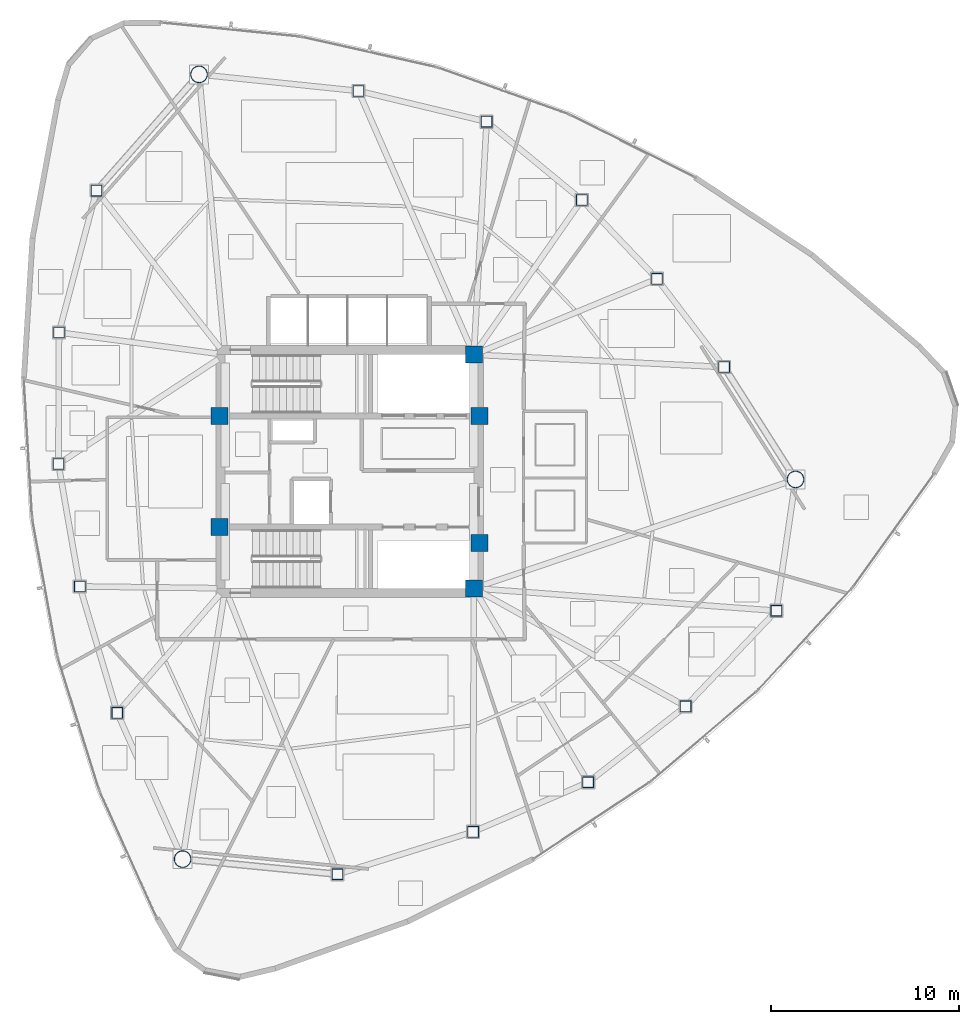
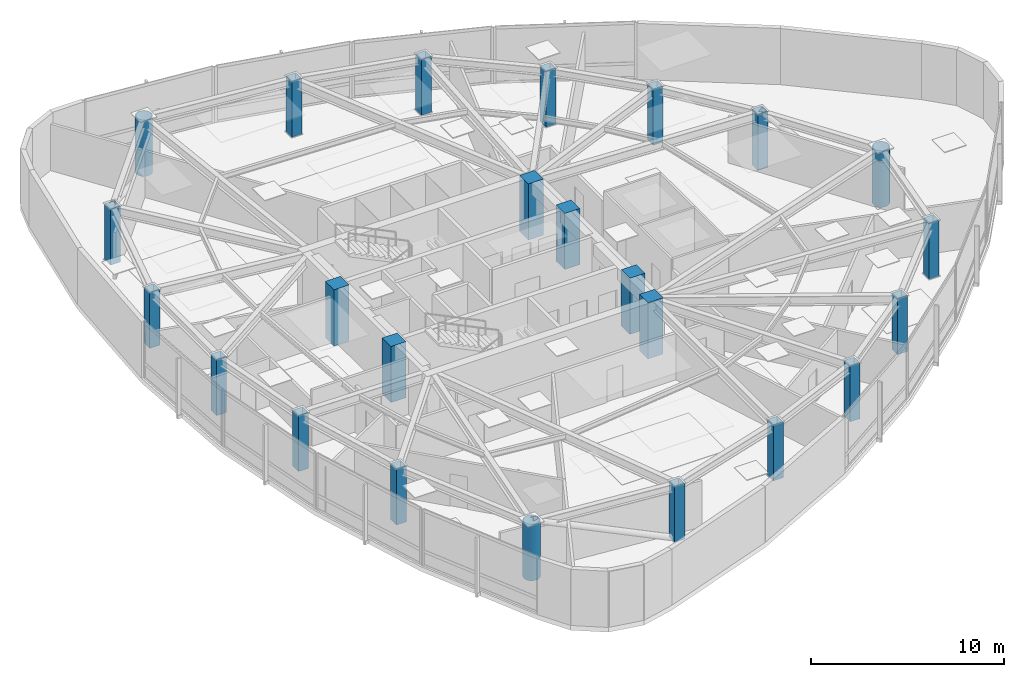
# One storey, part 1 of 17: 24 columns.
"""IFC4 building model written with IfcOpenShell, lengths in metres."""

from ifc_helpers import new_model, si_unit, direction, frame, origin, origin_2d, place, context, subcontext, project, spatial, rectangle, hollow_rectangle, hollow_circle, extrude, material, material_profile, profile_set, type_object, element, save


model = new_model("IFC4")

# Units and contexts
model_context = context("Model", 3, precision=1e-05, world=origin(), true_north=direction((0.0, 1.0)))
body_context = subcontext(model_context, "Body", "Model", "MODEL_VIEW")
ifc_project = project(units=[si_unit("LENGTHUNIT", "METRE"), si_unit("AREAUNIT", "SQUARE_METRE"), si_unit("VOLUMEUNIT", "CUBIC_METRE"), si_unit("PLANEANGLEUNIT", "RADIAN"), si_unit("MASSUNIT", "GRAM", prefix="KILO")], contexts=[model_context])

# Site, building, storey
site_placement = place(None, origin())
site = spatial("IfcSite", under=ifc_project, at=site_placement, CompositionType="ELEMENT")
building_placement = place(site_placement, origin())
building = spatial("IfcBuilding", under=site, at=building_placement, Name="Tavelor Broadcast Tower", CompositionType="ELEMENT")
storey_placement = place(building_placement, frame((0.0, 0.0, 188.75)))
storey = spatial("IfcBuildingStorey", under=building, at=storey_placement, Name="L45", CompositionType="ELEMENT", Elevation=188.75)

# Columns
ifc_material_1 = material(Name="Concrete C50/60", Category="concrete")
ifc_material_profile_1 = material_profile(ifc_material_1, rectangle(XDim=0.89990234375, YDim=0.89990234375, at=origin_2d()), Name="RC 900x900")
ifc_profile_set_1 = profile_set([ifc_material_profile_1], Name="Concrete C50/60")
column_type_1 = type_object("IfcColumnType", Name="Core Embedded Composite Column RC900", PredefinedType="COLUMN", material=ifc_profile_set_1)
for number, where, z_axis, x_axis, name in (
    (1, (43.10009765625, 47.949951171875, 0.0), (0.0, 0.0, 1.0), (1.0, 0.0, 0.0), "L45 Core Embedded Column 1"),
    (2, (56.89990234375, 47.949951171875, 0.0), (0.0, 0.0, 1.0), (1.0, 0.0, 0.0), "L45 Core Embedded Column 2"),
    (3, (56.60009765625, 51.199951171875, 0.0), (0.0, 0.0, 1.0), (1.0, 0.0, 0.0), "L45 Core Embedded Column 3"),
    (4, (43.10009765625, 42.050048828125, 0.0), (0.0, 0.0, 1.0), (1.0, 0.0, 0.0), "L45 Core Embedded Column 4"),
    (5, (56.89990234375, 41.199951171875, 0.0), (0.0, 0.0, 1.0), (1.0, 0.0, 0.0), "L45 Core Embedded Column 5"),
    (6, (56.60009765625, 38.800048828125, 0.0), (0.0, 0.0, 1.0), (1.0, 0.0, 0.0), "L45 Core Embedded Column 6"),
):
    element("IfcColumn", number, at=place(storey_placement, frame(where, z_axis=z_axis, x_axis=x_axis)), inside=storey, type_object=column_type_1, Name=name, PredefinedType="COLUMN", context=body_context, shape_type="SweptSolid", body=[
        extrude(rectangle(XDim=0.89990234375, YDim=0.89990234375, at=origin_2d()), origin(), (0.0, 0.0, 1.0), 3.550048828125),
    ])
ifc_material_2 = material(Name="Steel S460", Category="steel")
ifc_material_profile_2 = material_profile(ifc_material_2, hollow_rectangle(XDim=0.60009765625, YDim=0.60009765625, WallThickness=0.035888671875, at=origin_2d()), Name="SHS 600x600x36")
ifc_profile_set_2 = profile_set([ifc_material_profile_2], Name="Steel S460")
column_type_2 = type_object("IfcColumnType", Name="Perimeter Tube Column T4 SHS 600x600x36", PredefinedType="COLUMN", material=ifc_profile_set_2)
for number, where, z_axis, x_axis, name in (
    (7, (36.567626953125, 59.91064453125, 0.0), (0.0, 0.0, 1.0), (1.0, 0.0, 0.0), "L45 Perimeter Framed-Tube Column 02"),
    (8, (34.5751953125, 52.37939453125, 0.0), (0.0, 0.0, 1.0), (1.0, 0.0, 0.0), "L45 Perimeter Framed-Tube Column 03"),
    (9, (34.54638671875, 45.399169921875, 0.0), (0.0, 0.0, 1.0), (1.0, 0.0, 0.0), "L45 Perimeter Framed-Tube Column 04"),
    (10, (35.680908203125, 38.89990234375, 0.0), (0.0, 0.0, 1.0), (1.0, 0.0, 0.0), "L45 Perimeter Framed-Tube Column 05"),
    (11, (37.668212890625, 32.1904296875, 0.0), (0.0, 0.0, 1.0), (1.0, 0.0, 0.0), "L45 Perimeter Framed-Tube Column 06"),
    (12, (49.366455078125, 23.618896484375, 0.0), (0.0, 0.0, 1.0), (1.0, 0.0, 0.0), "L45 Perimeter Framed-Tube Column 08"),
    (13, (56.56103515625, 25.872802734375, 0.0), (0.0, 0.0, 1.0), (1.0, 0.0, 0.0), "L45 Perimeter Framed-Tube Column 09"),
    (14, (62.669189453125, 28.503173828125, 0.0), (0.0, 0.0, 1.0), (1.0, 0.0, 0.0), "L45 Perimeter Framed-Tube Column 10"),
    (15, (67.84228515625, 32.53173828125, 0.0), (0.0, 0.0, 1.0), (1.0, 0.0, 0.0), "L45 Perimeter Framed-Tube Column 11"),
    (16, (72.6591796875, 37.607421875, 0.0), (0.0, 0.0, 1.0), (1.0, 0.0, 0.0), "L45 Perimeter Framed-Tube Column 12"),
    (17, (69.885986328125, 50.544189453125, 0.0), (0.0, 0.0, 1.0), (1.0, 0.0, 0.0), "L45 Perimeter Framed-Tube Column 14"),
    (18, (66.322021484375, 55.228759765625, 0.0), (0.0, 0.0, 1.0), (1.0, 0.0, 0.0), "L45 Perimeter Framed-Tube Column 15"),
    (19, (62.330810546875, 59.416259765625, 0.0), (0.0, 0.0, 1.0), (1.0, 0.0, 0.0), "L45 Perimeter Framed-Tube Column 16"),
    (20, (57.276611328125, 63.568359375, 0.0), (0.0, 0.0, 1.0), (1.0, 0.0, 0.0), "L45 Perimeter Framed-Tube Column 17"),
    (21, (50.472412109375, 65.2021484375, 0.0), (0.0, 0.0, 1.0), (1.0, 0.0, 0.0), "L45 Perimeter Framed-Tube Column 18"),
):
    element("IfcColumn", number, at=place(storey_placement, frame(where, z_axis=z_axis, x_axis=x_axis)), inside=storey, type_object=column_type_2, Name=name, PredefinedType="COLUMN", context=body_context, shape_type="SweptSolid", body=[
        extrude(hollow_rectangle(XDim=0.60009765625, YDim=0.60009765625, WallThickness=0.035888671875, at=origin_2d()), origin(), (0.0, 0.0, 1.0), 3.550048828125),
    ])
ifc_material_profile_3 = material_profile(ifc_material_2, hollow_circle(Radius=0.45703125, WallThickness=0.0400390625, at=origin_2d()), Name="CHS 914x40")
ifc_profile_set_3 = profile_set([ifc_material_profile_3], Name="Steel S460")
column_type_3 = type_object("IfcColumnType", Name="Tower Mega Column T4 CHS 914x40", PredefinedType="COLUMN", material=ifc_profile_set_3)
for number, where, z_axis, x_axis, name in (
    (22, (42.01123046875, 66.080078125, 0.0), (0.0, 0.0, 1.0), (1.0, 0.0, 0.0), "L45 Tower Corner Mega Column 01"),
    (23, (41.138671875, 24.423828125, 0.0), (0.0, 0.0, 1.0), (1.0, 0.0, 0.0), "L45 Tower Corner Mega Column 07"),
    (24, (73.676025390625, 44.57958984375, 0.0), (0.0, 0.0, 1.0), (1.0, 0.0, 0.0), "L45 Tower Corner Mega Column 13"),
):
    element("IfcColumn", number, at=place(storey_placement, frame(where, z_axis=z_axis, x_axis=x_axis)), inside=storey, type_object=column_type_3, Name=name, PredefinedType="COLUMN", context=body_context, shape_type="SweptSolid", body=[
        extrude(hollow_circle(Radius=0.45703125, WallThickness=0.0400390625, at=origin_2d()), origin(), (0.0, 0.0, 1.0), 3.550048828125),
    ])

save(model, "model.ifc")
